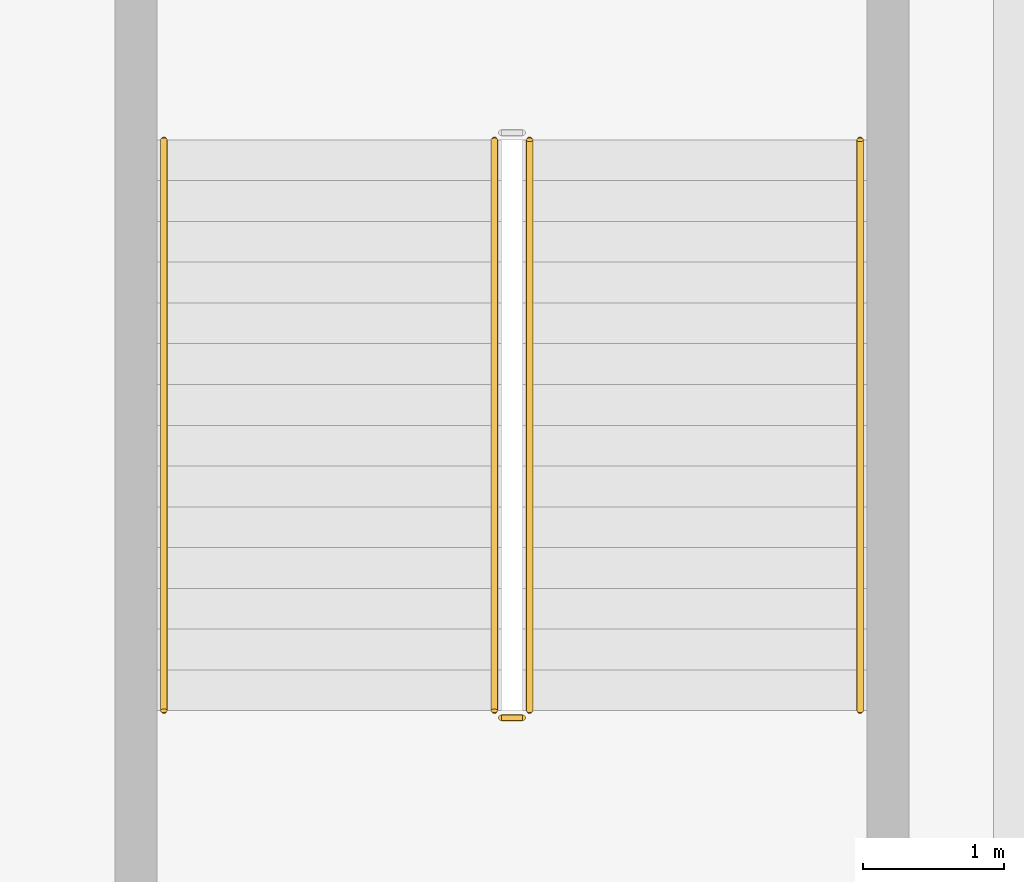
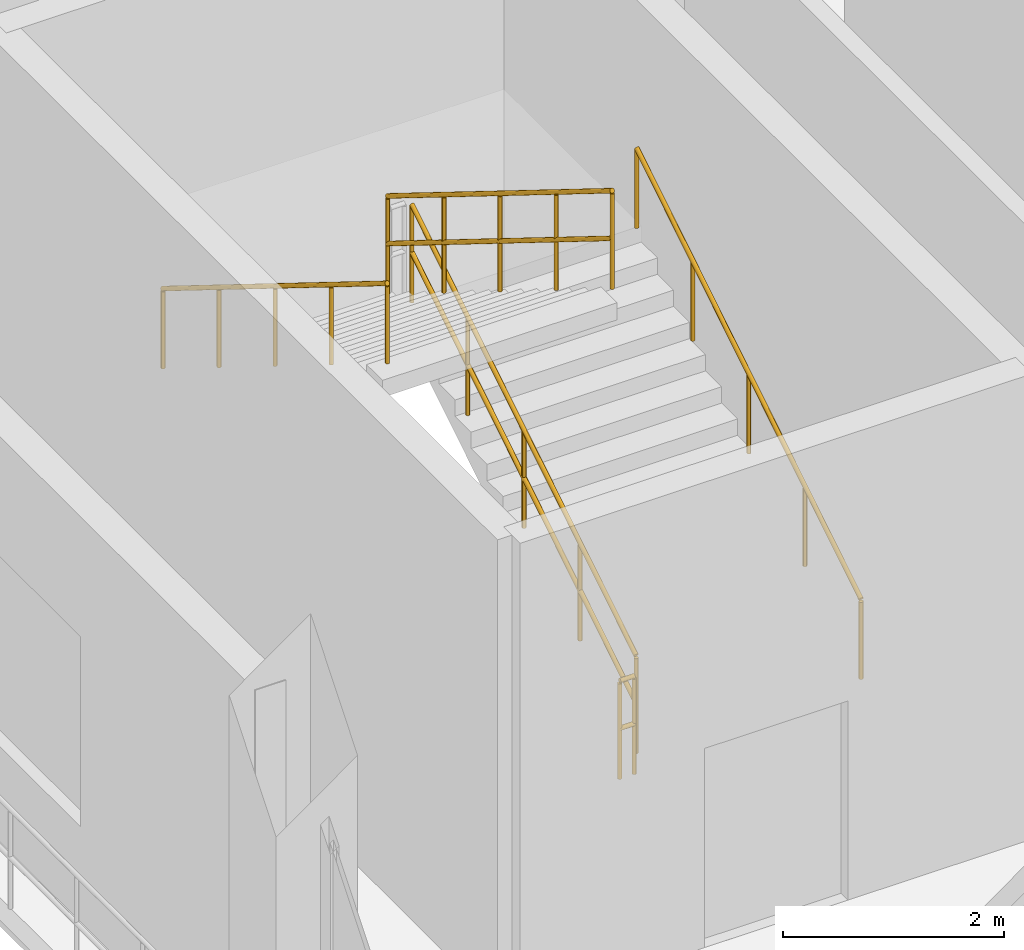
# One storey, part 97 of 114: 5 railings.
"""IFC4 building model written with IfcOpenShell, lengths in metres."""

from ifc_helpers import new_model, si_unit, direction, frame, origin, origin_2d, place, context, subcontext, project, spatial, circle, extrude, material, layer, layer_set, type_object, element, save


model = new_model("IFC4")

# Units and contexts
model_context = context("Model", 3, precision=1e-05, world=origin(), true_north=direction((0.0, 1.0)))
body_context = subcontext(model_context, "Body", "Model", "MODEL_VIEW")
ifc_project = project(units=[si_unit("LENGTHUNIT", "METRE"), si_unit("AREAUNIT", "SQUARE_METRE"), si_unit("VOLUMEUNIT", "CUBIC_METRE"), si_unit("PLANEANGLEUNIT", "RADIAN"), si_unit("MASSUNIT", "GRAM", prefix="KILO")], contexts=[model_context])

# Site, building, storey
site_placement = place(None, origin())
site = spatial("IfcSite", under=ifc_project, at=site_placement, CompositionType="ELEMENT")
building_placement = place(site_placement, origin())
building = spatial("IfcBuilding", under=site, at=building_placement, Name="Candeia Ridge Stadium", CompositionType="ELEMENT")
storey_placement = place(building_placement, frame((0.0, 0.0, 5.39990234375)))
storey = spatial("IfcBuildingStorey", under=building, at=storey_placement, Name="L01", CompositionType="ELEMENT", Elevation=5.39990234375)

# Railings
ifc_material_1 = material(Name="Brushed Stainless Steel", Category="steel")
ifc_layer_1 = layer(ifc_material_1, 0.048095703125, Name="Brushed Stainless Steel", Category="steel")
ifc_layer_set_1 = layer_set([ifc_layer_1], Name="Brushed Stainless Steel")
railing_type_1 = type_object("IfcRailingType", Name="Stair Wall & Flight Handrail 900", PredefinedType="HANDRAIL", material=ifc_layer_set_1)
railing_1_placement = place(storey_placement, frame((8.35009765625, 76.64990234375, 0.18017578125)))
element("IfcRailing", 1, at=railing_1_placement, inside=storey, type_object=railing_type_1, Name="L01 ST07 stair handrail 1", PredefinedType="HANDRAIL", context=body_context, shape_type="SweptSolid", body=[
    extrude(circle(Radius=0.02392578125, at=origin_2d()), frame((0.0, 0.0, 0.8759765625), z_axis=(0.0, 0.849641744969, 0.527360318194), x_axis=(-1.0, 0.0, 0.0)), (0.0, 0.0, 1.0), 4.778564453125),
    extrude(circle(Radius=0.02099609375, at=origin_2d()), origin(), (0.0, 0.0, 1.0), 0.851806640625),
    extrude(circle(Radius=0.02099609375, at=origin_2d()), frame((0.0, 1.01513671875, 0.6298828125)), (0.0, 0.0, 1.0), 0.851806640625),
    extrude(circle(Radius=0.02099609375, at=origin_2d()), frame((0.0, 2.030029296875, 1.260009765625)), (0.0, 0.0, 1.0), 0.851806640625),
    extrude(circle(Radius=0.02099609375, at=origin_2d()), frame((0.0, 3.044921875, 1.89013671875)), (0.0, 0.0, 1.0), 0.851806640625),
    extrude(circle(Radius=0.02099609375, at=origin_2d()), frame((0.0, 4.06005859375, 2.52001953125)), (0.0, 0.0, 1.0), 0.851806640625),
])
railing_2_placement = place(storey_placement, frame((3.39990234375, 80.7099609375, 2.880126953125)))
element("IfcRailing", 2, at=railing_2_placement, inside=storey, type_object=railing_type_1, Name="L01 ST07 stair handrail 2", PredefinedType="HANDRAIL", context=body_context, shape_type="SweptSolid", body=[
    extrude(circle(Radius=0.02392578125, at=origin_2d()), frame((0.0, 0.0, 0.8759765625), z_axis=(0.0, -0.849641744969, 0.527360318194), x_axis=(1.0, 0.0, 0.0)), (0.0, 0.0, 1.0), 4.778564453125),
    extrude(circle(Radius=0.02099609375, at=origin_2d()), origin(), (0.0, 0.0, 1.0), 0.851806640625),
    extrude(circle(Radius=0.02099609375, at=origin_2d()), frame((0.0, -1.01513671875, 0.6298828125)), (0.0, 0.0, 1.0), 0.851806640625),
    extrude(circle(Radius=0.02099609375, at=origin_2d()), frame((0.0, -2.030029296875, 1.260009765625)), (0.0, 0.0, 1.0), 0.851806640625),
    extrude(circle(Radius=0.02099609375, at=origin_2d()), frame((0.0, -3.044921875, 1.89013671875)), (0.0, 0.0, 1.0), 0.851806640625),
    extrude(circle(Radius=0.02099609375, at=origin_2d()), frame((0.0, -4.06005859375, 2.52001953125)), (0.0, 0.0, 1.0), 0.851806640625),
])
ifc_material_2 = material(Name="Galvanized Powder-Coated Steel", Category="steel")
ifc_layer_2 = layer(ifc_material_2, 0.06005859375, Name="Galvanized Powder-Coated Steel", Category="steel")
ifc_layer_set_2 = layer_set([ifc_layer_2], Name="Galvanized Powder-Coated Steel")
railing_type_2 = type_object("IfcRailingType", Name="Stair Well Guardrail 1100", PredefinedType="GUARDRAIL", material=ifc_layer_set_2)
railing_3_placement = place(storey_placement, frame((6.0, 76.64990234375, 0.18017578125)))
element("IfcRailing", 3, at=railing_3_placement, inside=storey, type_object=railing_type_2, Name="L01 ST07 stair guard 1", PredefinedType="GUARDRAIL", context=body_context, shape_type="SweptSolid", body=[
    extrude(circle(Radius=0.02392578125, at=origin_2d()), frame((0.0, 0.0, 1.076171875), z_axis=(0.0, 0.849641744969, 0.527360318194), x_axis=(-1.0, 0.0, 0.0)), (0.0, 0.0, 1.0), 4.778564453125),
    extrude(circle(Radius=0.02392578125, at=origin_2d()), frame((0.0, 0.0, 0.550048828125), z_axis=(0.0, 0.849641744969, 0.527360318194), x_axis=(-1.0, 0.0, 0.0)), (0.0, 0.0, 1.0), 4.778564453125),
    extrude(circle(Radius=0.02099609375, at=origin_2d()), origin(), (0.0, 0.0, 1.0), 1.052001953125),
    extrude(circle(Radius=0.02099609375, at=origin_2d()), frame((0.0, 1.01513671875, 0.6298828125)), (0.0, 0.0, 1.0), 1.052001953125),
    extrude(circle(Radius=0.02099609375, at=origin_2d()), frame((0.0, 2.030029296875, 1.260009765625)), (0.0, 0.0, 1.0), 1.052001953125),
    extrude(circle(Radius=0.02099609375, at=origin_2d()), frame((0.0, 3.044921875, 1.89013671875)), (0.0, 0.0, 1.0), 1.052001953125),
    extrude(circle(Radius=0.02099609375, at=origin_2d()), frame((0.0, 4.06005859375, 2.52001953125)), (0.0, 0.0, 1.0), 1.052001953125),
])
railing_4_placement = place(storey_placement, frame((5.75, 80.7099609375, 2.880126953125)))
element("IfcRailing", 4, at=railing_4_placement, inside=storey, type_object=railing_type_2, Name="L01 ST07 stair guard 3", PredefinedType="GUARDRAIL", context=body_context, shape_type="SweptSolid", body=[
    extrude(circle(Radius=0.02392578125, at=origin_2d()), frame((0.0, 0.0, 1.076171875), z_axis=(0.0, -0.849641744969, 0.527360318194), x_axis=(1.0, 0.0, 0.0)), (0.0, 0.0, 1.0), 4.778564453125),
    extrude(circle(Radius=0.02392578125, at=origin_2d()), frame((0.0, 0.0, 0.550048828125), z_axis=(0.0, -0.849641744969, 0.527360318194), x_axis=(1.0, 0.0, 0.0)), (0.0, 0.0, 1.0), 4.778564453125),
    extrude(circle(Radius=0.02099609375, at=origin_2d()), origin(), (0.0, 0.0, 1.0), 1.052001953125),
    extrude(circle(Radius=0.02099609375, at=origin_2d()), frame((0.0, -1.01513671875, 0.6298828125)), (0.0, 0.0, 1.0), 1.052001953125),
    extrude(circle(Radius=0.02099609375, at=origin_2d()), frame((0.0, -2.030029296875, 1.260009765625)), (0.0, 0.0, 1.0), 1.052001953125),
    extrude(circle(Radius=0.02099609375, at=origin_2d()), frame((0.0, -3.044921875, 1.89013671875)), (0.0, 0.0, 1.0), 1.052001953125),
    extrude(circle(Radius=0.02099609375, at=origin_2d()), frame((0.0, -4.06005859375, 2.52001953125)), (0.0, 0.0, 1.0), 1.052001953125),
])
railing_5_placement = place(storey_placement, frame((5.949951171875, 76.60009765625, 0.0)))
element("IfcRailing", 5, at=railing_5_placement, inside=storey, type_object=railing_type_2, Name="L01 ST07 stair guard 4", PredefinedType="GUARDRAIL", context=body_context, shape_type="SweptSolid", body=[
    extrude(circle(Radius=0.02392578125, at=origin_2d()), frame((0.0, 0.0, 1.076171875), z_axis=(-1.0, 0.0, 0.0), x_axis=(0.0, -1.0, 0.0)), (0.0, 0.0, 1.0), 0.14990234375),
    extrude(circle(Radius=0.02392578125, at=origin_2d()), frame((0.0, 0.0, 0.550048828125), z_axis=(-1.0, 0.0, 0.0), x_axis=(0.0, -1.0, 0.0)), (0.0, 0.0, 1.0), 0.14990234375),
    extrude(circle(Radius=0.02099609375, at=origin_2d()), origin(), (0.0, 0.0, 1.0), 1.052001953125),
    extrude(circle(Radius=0.02099609375, at=origin_2d()), frame((-0.14990234375, 0.0, 0.0)), (0.0, 0.0, 1.0), 1.052001953125),
])

save(model, "model.ifc")
